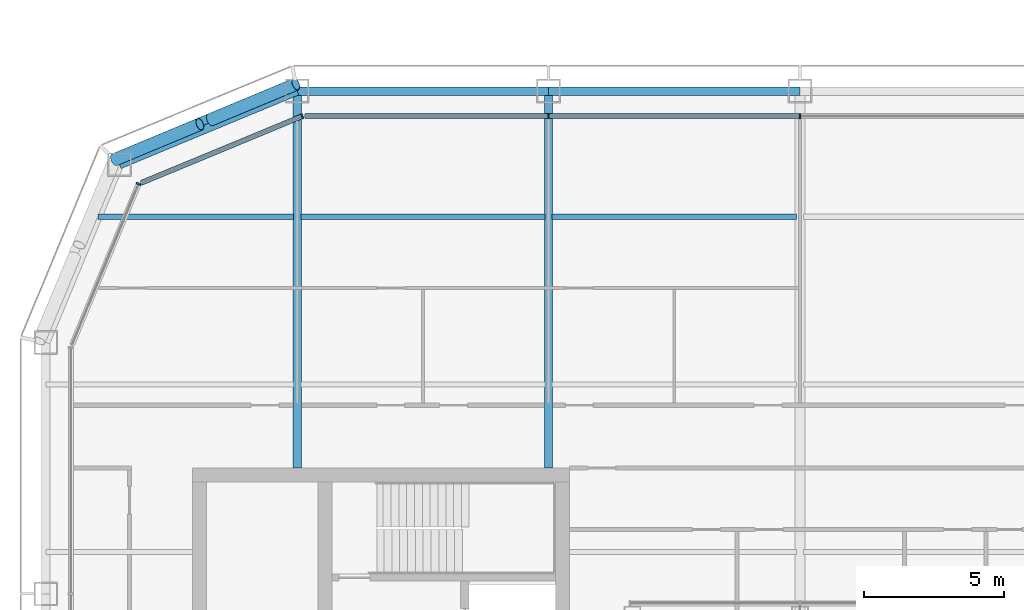
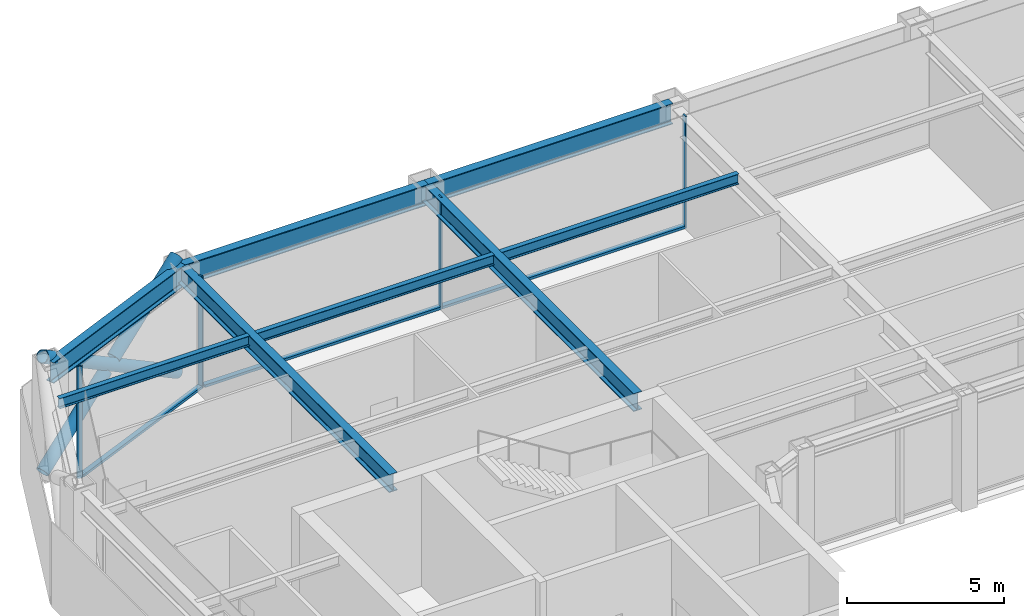
# One storey, part 8 of 23: 10 members, 8 beams, 3 elements without a shape of their own.
"""IFC4 building model written with IfcOpenShell, lengths in metres."""

from ifc_helpers import new_model, si_unit, direction, frame, origin, origin_2d, place, context, subcontext, project, spatial, rectangle, hollow_circle, i_section, extrude, material, layer, layer_set, material_profile, profile_set, type_object, element, aggregate, save


model = new_model("IFC4")

# Units and contexts
model_context = context("Model", 3, precision=1e-05, world=origin(), true_north=direction((0.0, 1.0)))
body_context = subcontext(model_context, "Body", "Model", "MODEL_VIEW")
ifc_project = project(units=[si_unit("LENGTHUNIT", "METRE"), si_unit("AREAUNIT", "SQUARE_METRE"), si_unit("VOLUMEUNIT", "CUBIC_METRE"), si_unit("PLANEANGLEUNIT", "RADIAN"), si_unit("MASSUNIT", "GRAM", prefix="KILO")], contexts=[model_context])

# Site, building, storey
site_placement = place(None, origin())
site = spatial("IfcSite", under=ifc_project, at=site_placement, CompositionType="ELEMENT")
building_placement = place(site_placement, origin())
building = spatial("IfcBuilding", under=site, at=building_placement, Name="Siwar Civic Tower", CompositionType="ELEMENT")
storey_placement = place(building_placement, frame((0.0, 0.0, 224.199951171875)))
storey = spatial("IfcBuildingStorey", under=building, at=storey_placement, Name="L48", CompositionType="ELEMENT", Elevation=224.199951171875)

# Curtain wall, members
ifc_material_1 = material(Name="Aluminium and glass", Category="aluminium")
ifc_layer_1 = layer(ifc_material_1, 0.179931640625)
ifc_layer_set_1 = layer_set([ifc_layer_1], Name="Aluminium and glass")
curtain_wall_type_1 = type_object("IfcCurtainWallType", Name="ENV-CW-C", PredefinedType="NOTDEFINED", material=ifc_layer_set_1)
curtain_wall_1_placement = place(storey_placement, origin())
curtain_wall_1 = element("IfcCurtainWall", 1, at=curtain_wall_1_placement, inside=storey, type_object=curtain_wall_type_1, Name="Curtain wall C N", PredefinedType="NOTDEFINED")
ifc_material_2 = material(Name="Aluminium 6063-T6", Category="aluminium")
ifc_material_profile_1 = material_profile(ifc_material_2, rectangle(XDim=0.179931640625, YDim=0.06005859375, at=origin_2d()), Name="AL 180x60")
ifc_profile_set_1 = profile_set([ifc_material_profile_1], Name="Aluminium 6063-T6")
member_type_1 = type_object("IfcMemberType", Name="ENV-MULLION-C", PredefinedType="MULLION", material=ifc_profile_set_1)
member_1_placement = place(storey_placement, frame((0.0, 26.10009765625, 0.0), z_axis=(0.0, 0.0, 1.0), x_axis=(0.0, -1.0, 0.0)))
member_1 = element("IfcMember", 2, at=member_1_placement, type_object=member_type_1, Name="Mullion C N 3", PredefinedType="MULLION", context=body_context, shape_type="SweptSolid", body=[
    extrude(rectangle(XDim=0.179931640625, YDim=0.06005859375, at=origin_2d()), origin(), (0.0, 0.0, 1.0), 4.35009765625),
])
member_2_placement = place(storey_placement, frame((-9.0, 26.10009765625, 0.0), z_axis=(0.0, 0.0, 1.0), x_axis=(0.0, -1.0, 0.0)))
member_2 = element("IfcMember", 3, at=member_2_placement, type_object=member_type_1, Name="Mullion C N 4", PredefinedType="MULLION", context=body_context, shape_type="SweptSolid", body=[
    extrude(rectangle(XDim=0.179931640625, YDim=0.06005859375, at=origin_2d()), origin(), (0.0, 0.0, 1.0), 4.35009765625),
])

# Curtain wall, member
ifc_material_3 = material(Name="Aluminium clad insulated panel", Category="aluminium")
ifc_layer_2 = layer(ifc_material_3, 0.179931640625)
ifc_layer_set_2 = layer_set([ifc_layer_2], Name="Aluminium clad insulated panel")
curtain_wall_type_2 = type_object("IfcCurtainWallType", Name="ENV-CW-CX", PredefinedType="NOTDEFINED", material=ifc_layer_set_2)
curtain_wall_2_placement = place(storey_placement, origin())
curtain_wall_2 = element("IfcCurtainWall", 4, at=curtain_wall_2_placement, inside=storey, type_object=curtain_wall_type_2, Name="Curtain wall C NW1", PredefinedType="NOTDEFINED")
member_3_placement = place(storey_placement, frame((-17.821044921875, 26.10009765625, 0.0), z_axis=(0.0, 0.0, 1.0), x_axis=(0.382683432365, -0.923879532511, 0.0)))
member_3 = element("IfcMember", 5, at=member_3_placement, type_object=member_type_1, Name="Mullion C NW1 1", PredefinedType="MULLION", context=body_context, shape_type="SweptSolid", body=[
    extrude(rectangle(XDim=0.179931640625, YDim=0.06005859375, at=origin_2d()), origin(), (0.0, 0.0, 1.0), 4.35009765625),
])

curtain_wall_3_placement = place(storey_placement, origin())
curtain_wall_3 = element("IfcCurtainWall", 6, at=curtain_wall_3_placement, inside=storey, type_object=curtain_wall_type_2, Name="Curtain wall C NW2", PredefinedType="NOTDEFINED")
member_4_placement = place(storey_placement, frame((-23.675048828125, 23.675048828125, 0.0), z_axis=(0.0, 0.0, 1.0), x_axis=(0.923879532511, -0.382683432365, 0.0)))
member_4 = element("IfcMember", 7, at=member_4_placement, type_object=member_type_1, Name="Mullion C NW2 1", PredefinedType="MULLION", context=body_context, shape_type="SweptSolid", body=[
    extrude(rectangle(XDim=0.179931640625, YDim=0.06005859375, at=origin_2d()), origin(), (0.0, 0.0, 1.0), 4.35009765625),
])
aggregate(curtain_wall_3, [member_4])

# Member
ifc_material_4 = material(Name="Aluminium 6063-T6", Category="aluminium")
ifc_material_profile_2 = material_profile(ifc_material_4, rectangle(XDim=0.179931640625, YDim=0.10009765625, at=origin_2d()), Name="AL 180x100")
ifc_profile_set_2 = profile_set([ifc_material_profile_2], Name="Aluminium 6063-T6")
member_type_2 = type_object("IfcMemberType", Name="ENV-TRANSOM-C", PredefinedType="USERDEFINED", material=ifc_profile_set_2)
member_5_placement = place(storey_placement, frame((-0.030029296875, 26.10009765625, 0.050048828125), z_axis=(-1.0, 0.0, 0.0), x_axis=(0.0, -1.0, 0.0)))
member_5 = element("IfcMember", 8, at=member_5_placement, type_object=member_type_2, Name="Transom C N 3", ObjectType="TRANSOM", PredefinedType="USERDEFINED", context=body_context, shape_type="SweptSolid", body=[
    extrude(rectangle(XDim=0.179931640625, YDim=0.10009765625, at=origin_2d()), origin(), (0.0, 0.0, 1.0), 8.93994140625),
])

member_6_placement = place(storey_placement, frame((-9.030029296875, 26.10009765625, 0.050048828125), z_axis=(-1.0, 0.0, 0.0), x_axis=(0.0, -1.0, 0.0)))
member_6 = element("IfcMember", 9, at=member_6_placement, type_object=member_type_2, Name="Transom C N 4", ObjectType="TRANSOM", PredefinedType="USERDEFINED", context=body_context, shape_type="SweptSolid", body=[
    extrude(rectangle(XDim=0.179931640625, YDim=0.10009765625, at=origin_2d()), origin(), (0.0, 0.0, 1.0), 8.68603515625),
])

aggregate(curtain_wall_1, [member_1, member_2, member_5, member_6])

member_7_placement = place(storey_placement, frame((-17.8486328125, 26.088623046875, 0.050048828125), z_axis=(-0.923882011223, -0.38267744817, 0.0), x_axis=(0.38267744817, -0.923882011223, 0.0)))
member_7 = element("IfcMember", 10, at=member_7_placement, type_object=member_type_2, Name="Transom C NW1 1", ObjectType="TRANSOM", PredefinedType="USERDEFINED", context=body_context, shape_type="SweptSolid", body=[
    extrude(rectangle(XDim=0.179931640625, YDim=0.10009765625, at=origin_2d()), origin(), (0.0, 0.0, 1.0), 6.201904296875),
])

aggregate(curtain_wall_2, [member_3, member_7])

# Members
ifc_material_5 = material(Name="Steel S355", Category="steel")
ifc_material_profile_3 = material_profile(ifc_material_5, hollow_circle(Radius=0.228515625, WallThickness=0.02001953125, at=origin_2d()), Name="CHS457x20")
ifc_profile_set_3 = profile_set([ifc_material_profile_3], Name="Steel S355")
member_type_3 = type_object("IfcMemberType", Name="STR-BR-CHS457x20", PredefinedType="BRACE", material=ifc_profile_set_3)
member_8_placement = place(storey_placement, frame((-18.048828125, 27.2451171875, 0.0), z_axis=(-0.777554562952, -0.323905527954, 0.538975055633), x_axis=(0.384538969033, -0.923108759191, 0.0)))
element("IfcMember", 11, at=member_8_placement, inside=storey, type_object=member_type_3, Name="L48/brc/CNW1-8-0-0", PredefinedType="BRACE", context=body_context, shape_type="SweptSolid", body=[
    extrude(hollow_circle(Radius=0.228515625, WallThickness=0.02001953125, at=origin_2d()), origin(), (0.0, 0.0, 1.0), 8.34912109375),
])
for number, where, z_axis, x_axis, name in (
    (12, (-24.540771484375, 24.540771484375, 0.0), (0.777546448489, 0.323884455881, 0.538999424564), (-0.38452107079, 0.92311621485, 0.0), "L48/brc/CNW1-8-0-4"),
    (13, (-21.10302734375, 25.972900390625, 2.383056640625), (0.777572496853, 0.323895306243, 0.538955325357), (-0.38452107079, 0.92311621485, 0.0), "L48/brc/CNW1-8-0-5"),
):
    element("IfcMember", number, at=place(storey_placement, frame(where, z_axis=z_axis, x_axis=x_axis)), inside=storey, type_object=member_type_3, Name=name, PredefinedType="BRACE", context=body_context, shape_type="SweptSolid", body=[
        extrude(hollow_circle(Radius=0.228515625, WallThickness=0.02001953125, at=origin_2d()), origin(), (0.0, 0.0, 1.0), 3.927978515625),
    ])

# Beams
ifc_material_6 = material(Name="Steel S355", Category="steel")
ifc_material_profile_4 = material_profile(ifc_material_6, i_section(OverallWidth=0.179931640625, OverallDepth=0.39990234375, WebThickness=0.008544921875, FlangeThickness=0.013427734375, FilletRadius=0.02099609375, at=origin_2d()), Name="IPE400")
ifc_profile_set_4 = profile_set([ifc_material_profile_4], Name="Steel S355")
beam_type_1 = type_object("IfcBeamType", Name="STR-FB-IPE400", PredefinedType="JOIST", material=ifc_profile_set_4)
beam_1_placement = place(storey_placement, frame((-25.135986328125, 22.5, 4.150146484375), z_axis=(1.0, 0.0, 0.0), x_axis=(0.0, 1.0, 0.0)))
element("IfcBeam", 14, at=beam_1_placement, inside=storey, type_object=beam_type_1, Name="L48/bm/F037", PredefinedType="JOIST", context=body_context, shape_type="SweptSolid", body=[
    extrude(i_section(OverallWidth=0.179931640625, OverallDepth=0.39990234375, WebThickness=0.008544921875, FlangeThickness=0.013427734375, FilletRadius=0.02099609375, at=origin_2d()), origin(), (0.0, 0.0, 1.0), 7.006103515625),
])
for number, where, z_axis, x_axis, name in (
    (15, (-17.8701171875, 22.5, 4.150146484375), (1.0, 0.0, 0.0), (0.0, 1.0, 0.0), "L48/bm/F038"),
    (16, (-8.8701171875, 22.5, 4.150146484375), (1.0, 0.0, 0.0), (0.0, 1.0, 0.0), "L48/bm/F039"),
):
    element("IfcBeam", number, at=place(storey_placement, frame(where, z_axis=z_axis, x_axis=x_axis)), inside=storey, type_object=beam_type_1, Name=name, PredefinedType="JOIST", context=body_context, shape_type="SweptSolid", body=[
        extrude(i_section(OverallWidth=0.179931640625, OverallDepth=0.39990234375, WebThickness=0.008544921875, FlangeThickness=0.013427734375, FilletRadius=0.02099609375, at=origin_2d()), origin(), (0.0, 0.0, 1.0), 8.740234375),
    ])
ifc_material_7 = material(Name="Steel S355", Category="steel")
ifc_material_profile_5 = material_profile(ifc_material_7, i_section(OverallWidth=0.300048828125, OverallDepth=0.699951171875, WebThickness=0.01708984375, FlangeThickness=0.031982421875, FilletRadius=0.027099609375, at=origin_2d()), Name="HEB700")
ifc_profile_set_5 = profile_set([ifc_material_profile_5], Name="Steel S355")
beam_type_2 = type_object("IfcBeamType", Name="STR-PG-HEB700", PredefinedType="BEAM", material=ifc_profile_set_5)
for number, where, z_axis, x_axis, name in (
    (17, (-18.0, 13.5, 4.0), (0.0, 1.0, 0.0), (-1.0, 0.0, 0.0), "L48/bm/G02"),
    (18, (-9.0, 13.5, 4.0), (0.0, 1.0, 0.0), (-1.0, 0.0, 0.0), "L48/bm/G04"),
):
    element("IfcBeam", number, at=place(storey_placement, frame(where, z_axis=z_axis, x_axis=x_axis)), inside=storey, type_object=beam_type_2, Name=name, PredefinedType="BEAM", context=body_context, shape_type="SweptSolid", body=[
        extrude(i_section(OverallWidth=0.300048828125, OverallDepth=0.699951171875, WebThickness=0.01708984375, FlangeThickness=0.031982421875, FilletRadius=0.027099609375, at=origin_2d()), origin(), (0.0, 0.0, 1.0), 13.5),
    ])
ifc_material_8 = material(Name="Steel S355", Category="steel")
ifc_material_profile_6 = material_profile(ifc_material_8, i_section(OverallWidth=0.300048828125, OverallDepth=0.800048828125, WebThickness=0.017578125, FlangeThickness=0.032958984375, FilletRadius=0.030029296875, at=origin_2d()), Name="HEB800")
ifc_profile_set_6 = profile_set([ifc_material_profile_6], Name="Steel S355")
beam_type_3 = type_object("IfcBeamType", Name="STR-SB-HEB800", PredefinedType="BEAM", material=ifc_profile_set_6)
for number, where, z_axis, x_axis, name in (
    (19, (0.0, 27.0, 3.949951171875), (-1.0, 0.0, 0.0), (0.0, -1.0, 0.0), "L48/bm/SN-2"),
    (20, (-9.0, 27.0, 3.949951171875), (-1.0, 0.0, 0.0), (0.0, -1.0, 0.0), "L48/bm/SN-3"),
):
    element("IfcBeam", number, at=place(storey_placement, frame(where, z_axis=z_axis, x_axis=x_axis)), inside=storey, type_object=beam_type_3, Name=name, PredefinedType="BEAM", context=body_context, shape_type="SweptSolid", body=[
        extrude(i_section(OverallWidth=0.300048828125, OverallDepth=0.800048828125, WebThickness=0.017578125, FlangeThickness=0.032958984375, FilletRadius=0.030029296875, at=origin_2d()), origin(), (0.0, 0.0, 1.0), 9.0),
    ])
beam_2_placement = place(storey_placement, frame((-18.0, 27.0, 3.949951171875), z_axis=(-0.923883353507, -0.382674207535, 0.0), x_axis=(0.382674207535, -0.923883353507, 0.0)))
element("IfcBeam", 21, at=beam_2_placement, inside=storey, type_object=beam_type_3, Name="L48/bm/SNW1-0", PredefinedType="BEAM", context=body_context, shape_type="SweptSolid", body=[
    extrude(i_section(OverallWidth=0.300048828125, OverallDepth=0.800048828125, WebThickness=0.017578125, FlangeThickness=0.032958984375, FilletRadius=0.030029296875, at=origin_2d()), origin(), (0.0, 0.0, 1.0), 6.888427734375),
])

save(model, "model.ifc")
